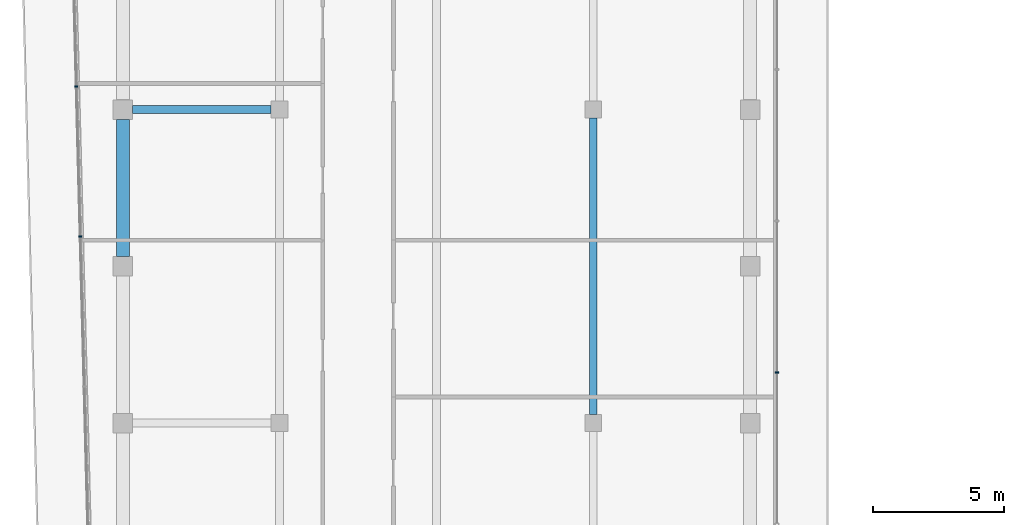
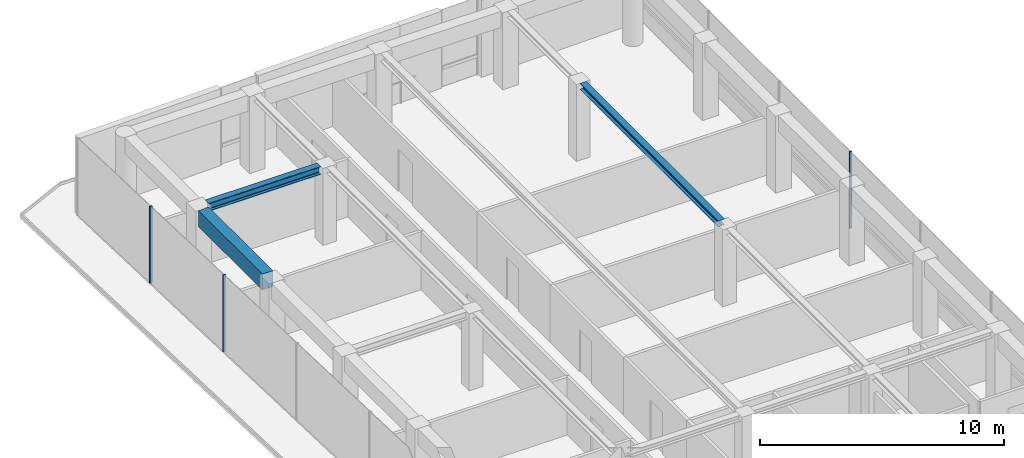
# One storey, part 11 of 20: 3 beams, 3 members, 2 elements without a shape of their own.
"""IFC4 building model written with IfcOpenShell, lengths in metres."""

from ifc_helpers import new_model, si_unit, direction, frame, origin, origin_2d, place, context, subcontext, project, spatial, rectangle, i_section, extrude, material, layer, layer_set, material_profile, profile_set, type_object, element, aggregate, save


model = new_model("IFC4")

# Units and contexts
model_context = context("Model", 3, precision=1e-05, world=origin(), true_north=direction((0.0, 1.0)))
body_context = subcontext(model_context, "Body", "Model", "MODEL_VIEW")
ifc_project = project(units=[si_unit("LENGTHUNIT", "METRE"), si_unit("AREAUNIT", "SQUARE_METRE"), si_unit("VOLUMEUNIT", "CUBIC_METRE"), si_unit("PLANEANGLEUNIT", "RADIAN"), si_unit("MASSUNIT", "GRAM", prefix="KILO")], contexts=[model_context])

# Site, building, storey
site_placement = place(None, origin())
site = spatial("IfcSite", under=ifc_project, at=site_placement, CompositionType="ELEMENT")
building_placement = place(site_placement, origin())
building = spatial("IfcBuilding", under=site, at=building_placement, Name="Welwitschia Terrace Campus", CompositionType="ELEMENT")
storey_placement = place(building_placement, frame((0.0, 0.0, 293.60009765625)))
storey = spatial("IfcBuildingStorey", under=building, at=storey_placement, Name="L65", CompositionType="ELEMENT", Elevation=293.60009765625)

# Beam
ifc_material_1 = material(Name="Steel S355", Category="steel")
ifc_material_profile_1 = material_profile(ifc_material_1, i_section(OverallWidth=0.300048828125, OverallDepth=0.300048828125, WebThickness=0.010986328125, FlangeThickness=0.01904296875, FilletRadius=0.027099609375, at=origin_2d()))
ifc_profile_set_1 = profile_set([ifc_material_profile_1], Name="Steel S355")
beam_type_1 = type_object("IfcBeamType", Name="Interior girder HE 300 B", PredefinedType="BEAM", material=ifc_profile_set_1)
beam_1_placement = place(storey_placement, frame((18.0, 44.325439453125, 3.699951171875), z_axis=(0.0, 1.0, 0.0), x_axis=(-1.0, 0.0, 0.0)))
element("IfcBeam", 1, at=beam_1_placement, inside=storey, type_object=beam_type_1, Name="Girder GB6", PredefinedType="BEAM", context=body_context, shape_type="SweptSolid", body=[
    extrude(i_section(OverallWidth=0.300048828125, OverallDepth=0.300048828125, WebThickness=0.010986328125, FlangeThickness=0.01904296875, FilletRadius=0.027099609375, at=origin_2d()), origin(), (0.0, 0.0, 1.0), 11.34912109375),
])

# Curtain wall, members
ifc_material_2 = material(Name="Bronze anodised aluminium", Category="aluminium")
ifc_layer = layer(ifc_material_2, 0.1201171875)
ifc_layer_set = layer_set([ifc_layer], Name="Bronze anodised aluminium")
curtain_wall_type = type_object("IfcCurtainWallType", Name="Curtain wall CW2 tower 6000", PredefinedType="NOTDEFINED", material=ifc_layer_set)
curtain_wall_1_placement = place(storey_placement, origin())
curtain_wall_1 = element("IfcCurtainWall", 2, at=curtain_wall_1_placement, inside=storey, type_object=curtain_wall_type, Name="CW L65.0.0", PredefinedType="NOTDEFINED")
ifc_material_3 = material(Name="Bronze anodised aluminium", Category="aluminium")
ifc_material_profile_2 = material_profile(ifc_material_3, rectangle(XDim=0.1201171875, YDim=0.06005859375, at=origin_2d()))
ifc_profile_set_2 = profile_set([ifc_material_profile_2], Name="Bronze anodised aluminium")
member_type = type_object("IfcMemberType", Name="Mullion 60x120", PredefinedType="MULLION", material=ifc_profile_set_2)
member_1_placement = place(storey_placement, frame((-1.78125, 56.878173828125, 0.0), z_axis=(0.0, 0.0, 1.0), x_axis=(0.999657324976, 0.026176948308, 0.0)))
member_1 = element("IfcMember", 3, at=member_1_placement, type_object=member_type, Name="Mullion L65.0.0.1", PredefinedType="MULLION", context=body_context, shape_type="SweptSolid", body=[
    extrude(rectangle(XDim=0.1201171875, YDim=0.06005859375, at=origin_2d()), origin(), (0.0, 0.0, 1.0), 3.849853515625),
])
member_2_placement = place(storey_placement, frame((-1.630859375, 51.140869140625, 0.0), z_axis=(0.0, 0.0, 1.0), x_axis=(0.999657324976, 0.026176948308, 0.0)))
member_2 = element("IfcMember", 4, at=member_2_placement, type_object=member_type, Name="Mullion L65.0.0.2", PredefinedType="MULLION", context=body_context, shape_type="SweptSolid", body=[
    extrude(rectangle(XDim=0.1201171875, YDim=0.06005859375, at=origin_2d()), origin(), (0.0, 0.0, 1.0), 3.849853515625),
])
aggregate(curtain_wall_1, [member_1, member_2])

# Curtain wall, member
curtain_wall_2_placement = place(storey_placement, origin())
curtain_wall_2 = element("IfcCurtainWall", 5, at=curtain_wall_2_placement, inside=storey, type_object=curtain_wall_type, Name="CW L65.9.0", PredefinedType="NOTDEFINED")
member_3_placement = place(storey_placement, frame((25.030029296875, 45.93212890625, 0.0), z_axis=(0.0, 0.0, 1.0), x_axis=(-1.0, 0.0, 0.0)))
member_3 = element("IfcMember", 6, at=member_3_placement, type_object=member_type, Name="Mullion L65.9.0.3", PredefinedType="MULLION", context=body_context, shape_type="SweptSolid", body=[
    extrude(rectangle(XDim=0.1201171875, YDim=0.06005859375, at=origin_2d()), origin(), (0.0, 0.0, 1.0), 3.849853515625),
])
aggregate(curtain_wall_2, [member_3])

# Beams
ifc_material_4 = material(Name="Steel S355", Category="steel")
ifc_material_profile_3 = material_profile(ifc_material_4, i_section(OverallWidth=0.300048828125, OverallDepth=0.39990234375, WebThickness=0.013427734375, FlangeThickness=0.02392578125, FilletRadius=0.027099609375, at=origin_2d()))
ifc_profile_set_3 = profile_set([ifc_material_profile_3], Name="Steel S355")
beam_type_2 = type_object("IfcBeamType", Name="Primary beam HE 400 B", PredefinedType="BEAM", material=ifc_profile_set_3)
beam_2_placement = place(storey_placement, frame((0.37548828125, 56.0, 3.64990234375), z_axis=(1.0, 0.0, 0.0), x_axis=(0.0, 1.0, 0.0)))
element("IfcBeam", 7, at=beam_2_placement, inside=storey, type_object=beam_type_2, Name="Primary beam PB6", PredefinedType="BEAM", context=body_context, shape_type="SweptSolid", body=[
    extrude(i_section(OverallWidth=0.300048828125, OverallDepth=0.39990234375, WebThickness=0.013427734375, FlangeThickness=0.02392578125, FilletRadius=0.027099609375, at=origin_2d()), origin(), (0.0, 0.0, 1.0), 5.299072265625),
])
ifc_material_5 = material(Name="Concrete C50/60", Category="concrete")
ifc_material_profile_4 = material_profile(ifc_material_5, rectangle(XDim=0.5, YDim=0.800048828125, at=origin_2d()))
ifc_profile_set_4 = profile_set([ifc_material_profile_4], Name="Concrete C50/60")
beam_type_3 = type_object("IfcBeamType", Name="Ring spandrel 500x800", PredefinedType="SPANDREL", material=ifc_profile_set_4)
beam_3_placement = place(storey_placement, frame((0.0, 55.62451171875, 3.449951171875), z_axis=(0.0, -1.0, 0.0), x_axis=(1.0, 0.0, 0.0)))
element("IfcBeam", 8, at=beam_3_placement, inside=storey, type_object=beam_type_3, Name="Spandrel SP4", PredefinedType="SPANDREL", context=body_context, shape_type="SweptSolid", body=[
    extrude(rectangle(XDim=0.5, YDim=0.800048828125, at=origin_2d()), origin(), (0.0, 0.0, 1.0), 5.2490234375),
])

save(model, "model.ifc")
